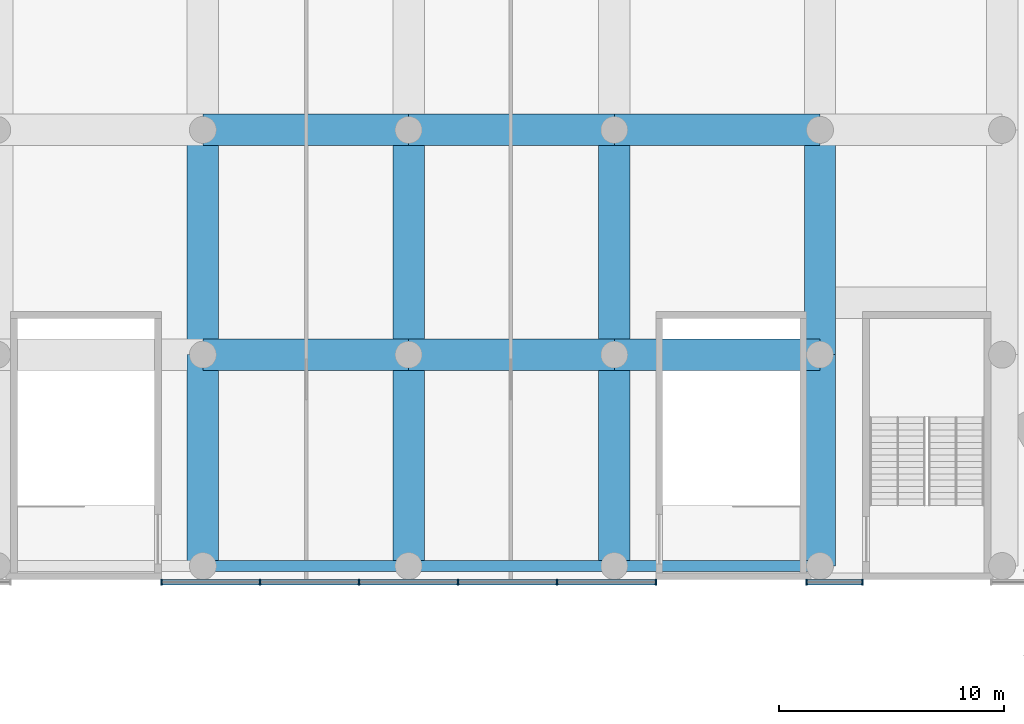
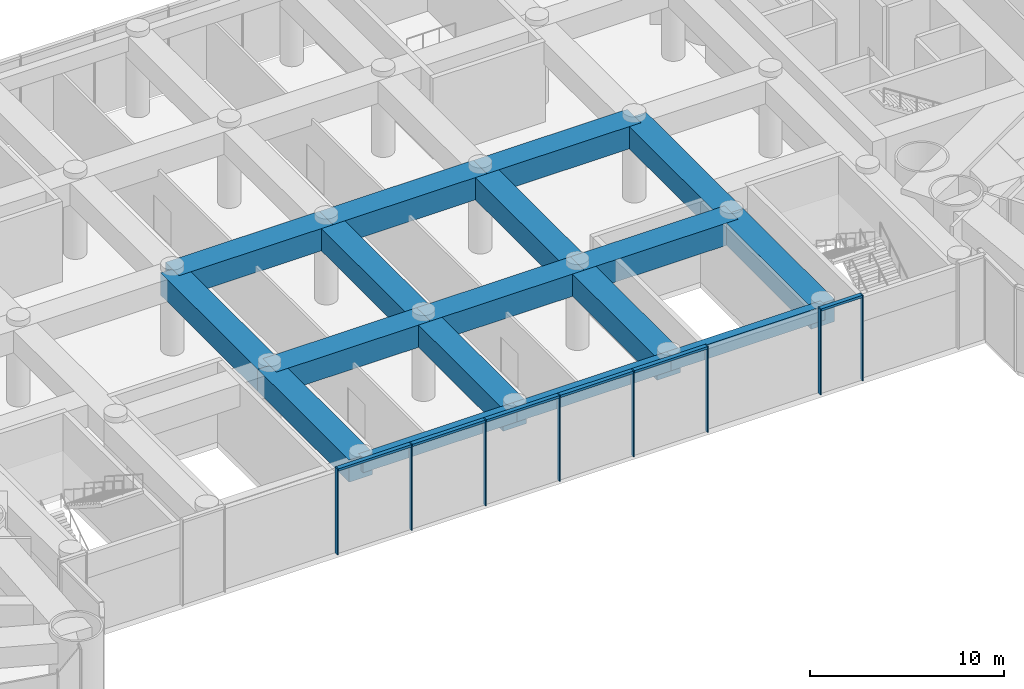
# One storey, part 6 of 20: 17 beams, 14 members, 2 elements without a shape of their own.
"""IFC4 building model written with IfcOpenShell, lengths in metres."""

import ifcopenshell
import ifcopenshell.guid

model = None  # the IFC model being written
_history = None  # IfcOwnerHistory: only IFC2X3 demands one
_inside = {}  # id of a spatial element -> (the spatial element, [elements in it])
_under = {}  # id of a project, library or spatial element -> (it, [spatial elements below it])
_declared = {}  # id of a project -> (the project, [libraries it declares])
_typed = {}  # id of a type object -> (the type object, [elements of that type])
_made_of = {}  # id of a material, layer set ... -> (it, [elements and type objects made of it])


def new_model(schema):
    """Start an empty IFC model of exactly this schema.

    Asked for "IFC4X3", IfcOpenShell would pick the latest addendum, in which some entities
    have other attributes; the version numbers below select the first issue.
    IFC2X3 requires an IfcOwnerHistory on every rooted entity: one is made here for all.
    """
    global model, _history
    if schema == "IFC4X3":
        model = ifcopenshell.file(schema_version=(4, 3, 0, 0))
    else:
        model = ifcopenshell.file(schema=schema)
    _inside.clear()
    _under.clear()
    _declared.clear()
    _typed.clear()
    _made_of.clear()
    _history = None
    if model.schema == "IFC2X3":
        org = make("IfcOrganization", Name="unknown")
        user = make(
            "IfcPersonAndOrganization",
            ThePerson=make("IfcPerson", FamilyName="unknown"),
            TheOrganization=org,
        )
        app = make(
            "IfcApplication",
            ApplicationDeveloper=org,
            Version="unknown",
            ApplicationFullName="unknown",
            ApplicationIdentifier="unknown",
        )
        _history = make(
            "IfcOwnerHistory",
            OwningUser=user,
            OwningApplication=app,
            ChangeAction="ADDED",
            CreationDate=0,
        )
    return model


def make(cls, **values):
    """One entity of the class cls with the attributes given. An attribute that is None is left unset."""
    return model.create_entity(
        cls, **{name: value for name, value in values.items() if value is not None}
    )


def rooted(cls, **values):
    """An entity with a GlobalId (a new one), such as an element, a storey or a relation."""
    return make(cls, GlobalId=ifcopenshell.guid.new(), OwnerHistory=_history, **values)


def si_unit(unit_type, name, prefix=None):
    """IfcSIUnit, for example si_unit("LENGTHUNIT", "METRE", prefix="MILLI")."""
    return make("IfcSIUnit", UnitType=unit_type, Prefix=prefix, Name=name)


def assignment(units):
    """IfcUnitAssignment: the units of a project."""
    return None if units is None else make("IfcUnitAssignment", Units=units)


def point(xyz):
    """IfcCartesianPoint."""
    return None if xyz is None else make("IfcCartesianPoint", Coordinates=xyz)


def direction(xyz):
    """IfcDirection."""
    return None if xyz is None else make("IfcDirection", DirectionRatios=xyz)


def frame(location, z_axis=None, x_axis=None):
    """IfcAxis2Placement3D, a coordinate frame: its origin and axes. An axis left out is left unset."""
    return make(
        "IfcAxis2Placement3D",
        Location=point(location),
        Axis=direction(z_axis),
        RefDirection=direction(x_axis),
    )


def frame_2d(location, x_axis=None):
    """IfcAxis2Placement2D, a coordinate frame in the plane: its origin and x axis."""
    return make(
        "IfcAxis2Placement2D", Location=point(location), RefDirection=direction(x_axis)
    )


def origin():
    """The frame at (0, 0, 0) with its axes left unset."""
    return frame((0.0, 0.0, 0.0))


def origin_2d():
    """The frame at (0, 0) in the plane with its x axis left unset."""
    return frame_2d((0.0, 0.0))


def place(relative_to, where):
    """IfcLocalPlacement: puts the frame where relative to a parent placement (None: the world)."""
    return make(
        "IfcLocalPlacement", PlacementRelTo=relative_to, RelativePlacement=where
    )


def context(
    kind, dimensions, precision=None, world=None, true_north=None, identifier=None
):
    """IfcGeometricRepresentationContext, for example the 3D "Model" context."""
    return make(
        "IfcGeometricRepresentationContext",
        ContextIdentifier=identifier,
        ContextType=kind,
        CoordinateSpaceDimension=dimensions,
        Precision=precision,
        WorldCoordinateSystem=world,
        TrueNorth=true_north,
    )


def subcontext(parent, identifier, kind, view, scale=None):
    """IfcGeometricRepresentationSubContext, for example "Body" below "Model"."""
    return make(
        "IfcGeometricRepresentationSubContext",
        ContextIdentifier=identifier,
        ContextType=kind,
        ParentContext=parent,
        TargetScale=scale,
        TargetView=view,
    )


def project(units=None, contexts=None):
    """IfcProject with its units and contexts."""
    return rooted(
        "IfcProject",
        Name="project",
        RepresentationContexts=contexts,
        UnitsInContext=assignment(units),
    )


def spatial(cls, under=None, at=None, **own):
    """A site, building, storey or space (cls), placed at a placement, below another one or the project."""
    s = rooted(cls, ObjectPlacement=at, **own)
    if under is not None:
        _under.setdefault(under.id(), (under, []))[1].append(s)
    return s


def profile(cls, at=None, kind="AREA", **sizes):
    """A parametric profile (cls). Its sizes go by their IFC names, for example OverallWidth=200.0."""
    return make(cls, ProfileType=kind, Position=at, **sizes)


def rectangle(**sizes):
    """IfcRectangleProfileDef."""
    return profile("IfcRectangleProfileDef", **sizes)


def extrude(swept, where, along, depth):
    """IfcExtrudedAreaSolid: the profile swept, set in the frame where, extruded along a direction by depth."""
    return make(
        "IfcExtrudedAreaSolid",
        SweptArea=swept,
        Position=where,
        ExtrudedDirection=direction(along),
        Depth=depth,
    )


def shape(context_of_items, identifier, shape_type, items):
    """IfcShapeRepresentation: the items that make up one representation, for example the "Body"."""
    return make(
        "IfcShapeRepresentation",
        ContextOfItems=context_of_items,
        RepresentationIdentifier=identifier,
        RepresentationType=shape_type,
        Items=items,
    )


def material(Name=None, Category=None):
    """IfcMaterial."""
    return make("IfcMaterial", Name=Name, Category=Category)


def material_profile(
    of_material, cross_section, Name=None, Category=None, Priority=None
):
    """IfcMaterialProfile: a cross section and its material."""
    return make(
        "IfcMaterialProfile",
        Name=Name,
        Material=of_material,
        Profile=cross_section,
        Priority=Priority,
        Category=Category,
    )


def profile_set(profiles, Name=None, composite=None):
    """IfcMaterialProfileSet."""
    return make(
        "IfcMaterialProfileSet",
        Name=Name,
        MaterialProfiles=profiles,
        CompositeProfile=composite,
    )


def made_of(thing, what):
    """Note that an element or type object is made of a material, layer set ...; save() writes the relation."""
    if what is not None:
        _made_of.setdefault(what.id(), (what, []))[1].append(thing)
    return thing


def type_object(cls, material=None, **own):
    """A type object (cls), such as IfcWallType, which elements share."""
    return made_of(rooted(cls, **own), material)


def element(
    cls,
    number,
    at=None,
    inside=None,
    cuts=None,
    type_object=None,
    material=None,
    context=None,
    identifier="Body",
    shape_type=None,
    held_by="IfcProductDefinitionShape",
    body=None,
    shapes=None,
    **own,
):
    """One element of the class cls, such as IfcWall. Its Tag is "e" and its number.

    at: its placement. inside: the storey or other place that contains it. cuts: it is an
    opening in that element (IfcRelVoidsElement). A single representation is given by context,
    identifier, shape_type and body (its items); several are given by shapes. held_by: the class
    of the entity that holds the representations. save() writes the other relations.
    """
    e = rooted(cls, Tag="e%d" % number, ObjectPlacement=at, **own)
    if body is not None:
        shapes = [shape(context, identifier, shape_type, body)]
    if shapes is not None:
        e.Representation = make(held_by, Representations=shapes)
    if inside is not None:
        _inside.setdefault(inside.id(), (inside, []))[1].append(e)
    if cuts is not None:
        rooted(
            "IfcRelVoidsElement", RelatingBuildingElement=cuts, RelatedOpeningElement=e
        )
    if type_object is not None:
        _typed.setdefault(type_object.id(), (type_object, []))[1].append(e)
    return made_of(e, material)


def aggregate(whole, parts):
    """IfcRelAggregates: a whole, such as a stair, and the parts it consists of."""
    return rooted("IfcRelAggregates", RelatingObject=whole, RelatedObjects=parts)


def save(model, path):
    """Write the relations noted so far, then the file.

    IfcRelAggregates (storeys below a building ...), IfcRelContainedInSpatialStructure (elements
    in a storey), IfcRelDefinesByType, IfcRelAssociatesMaterial and IfcRelDeclares: one each for
    every whole, place, type object, material and project.
    """
    for whole, parts in _under.values():
        aggregate(whole, parts)
    for where, things in _inside.values():
        rooted(
            "IfcRelContainedInSpatialStructure",
            RelatedElements=things,
            RelatingStructure=where,
        )
    for kind, things in _typed.values():
        rooted("IfcRelDefinesByType", RelatedObjects=things, RelatingType=kind)
    for what, things in _made_of.values():
        rooted("IfcRelAssociatesMaterial", RelatedObjects=things, RelatingMaterial=what)
    for by, libraries in _declared.values():
        rooted("IfcRelDeclares", RelatingContext=by, RelatedDefinitions=libraries)
    model.write(path)


model = new_model("IFC4")

# Units and contexts
model_context = context("Model", 3, precision=1e-05, world=origin(), true_north=direction((0.0, 1.0)))
body_context = subcontext(model_context, "Body", "Model", "MODEL_VIEW")
ifc_project = project(units=[si_unit("LENGTHUNIT", "METRE"), si_unit("AREAUNIT", "SQUARE_METRE"), si_unit("VOLUMEUNIT", "CUBIC_METRE"), si_unit("PLANEANGLEUNIT", "RADIAN"), si_unit("MASSUNIT", "GRAM", prefix="KILO")], contexts=[model_context])

# Site, building, storey
site_placement = place(None, origin())
site = spatial("IfcSite", under=ifc_project, at=site_placement, CompositionType="ELEMENT")
building_placement = place(site_placement, origin())
building = spatial("IfcBuilding", under=site, at=building_placement, Name="Lancet Gate Hotel", CompositionType="ELEMENT")
storey_placement = place(building_placement, frame((0.0, 0.0, 7.199951171875)))
storey = spatial("IfcBuildingStorey", under=building, at=storey_placement, Name="L01", CompositionType="ELEMENT", Elevation=7.199951171875)

# Curtain wall, members
ifc_material_1 = material(Name="Aluminium curtain wall", Category="aluminium")
curtain_wall_type = type_object("IfcCurtainWallType", Name="Podium curtain wall", PredefinedType="USERDEFINED", material=ifc_material_1)
curtain_wall_1_placement = place(storey_placement, origin())
curtain_wall_1 = element("IfcCurtainWall", 1, at=curtain_wall_1_placement, inside=storey, type_object=curtain_wall_type, Name="Podium L01 curtain wall S3", ObjectType="UNITISED CURTAIN WALL", PredefinedType="USERDEFINED")
ifc_material_2 = material(Name="Aluminium mullion", Category="aluminium")
ifc_material_profile_1 = material_profile(ifc_material_2, rectangle(XDim=0.06494140625, YDim=0.25, at=origin_2d()), Name="MULLION 65x250")
ifc_profile_set_1 = profile_set([ifc_material_profile_1], Name="Aluminium mullion")
member_type_1 = type_object("IfcMemberType", Name="Aluminium mullion 65x250", PredefinedType="MULLION", material=ifc_profile_set_1)
member_1_placement = place(storey_placement, frame((-11.0, -20.1201171875, 0.0), z_axis=(0.0, 0.0, 1.0), x_axis=(1.0, 0.0, 0.0)))
member_1 = element("IfcMember", 2, at=member_1_placement, type_object=member_type_1, Name="Podium L01 curtain wall S3 mullion 1", PredefinedType="MULLION", context=body_context, shape_type="SweptSolid", body=[
    extrude(rectangle(XDim=0.06494140625, YDim=0.25, at=origin_2d()), origin(), (0.0, 0.0, 1.0), 5.400146484375),
])
member_2_placement = place(storey_placement, frame((-6.60009765625, -20.1201171875, 0.0), z_axis=(0.0, 0.0, 1.0), x_axis=(1.0, 0.0, 0.0)))
member_2 = element("IfcMember", 3, at=member_2_placement, type_object=member_type_1, Name="Podium L01 curtain wall S3 mullion 2", PredefinedType="MULLION", context=body_context, shape_type="SweptSolid", body=[
    extrude(rectangle(XDim=0.06494140625, YDim=0.25, at=origin_2d()), origin(), (0.0, 0.0, 1.0), 5.400146484375),
])
member_3_placement = place(storey_placement, frame((-2.199951171875, -20.1201171875, 0.0), z_axis=(0.0, 0.0, 1.0), x_axis=(1.0, 0.0, 0.0)))
member_3 = element("IfcMember", 4, at=member_3_placement, type_object=member_type_1, Name="Podium L01 curtain wall S3 mullion 3", PredefinedType="MULLION", context=body_context, shape_type="SweptSolid", body=[
    extrude(rectangle(XDim=0.06494140625, YDim=0.25, at=origin_2d()), origin(), (0.0, 0.0, 1.0), 5.400146484375),
])
member_4_placement = place(storey_placement, frame((2.199951171875, -20.1201171875, 0.0), z_axis=(0.0, 0.0, 1.0), x_axis=(1.0, 0.0, 0.0)))
member_4 = element("IfcMember", 5, at=member_4_placement, type_object=member_type_1, Name="Podium L01 curtain wall S3 mullion 4", PredefinedType="MULLION", context=body_context, shape_type="SweptSolid", body=[
    extrude(rectangle(XDim=0.06494140625, YDim=0.25, at=origin_2d()), origin(), (0.0, 0.0, 1.0), 5.400146484375),
])
member_5_placement = place(storey_placement, frame((6.60009765625, -20.1201171875, 0.0), z_axis=(0.0, 0.0, 1.0), x_axis=(1.0, 0.0, 0.0)))
member_5 = element("IfcMember", 6, at=member_5_placement, type_object=member_type_1, Name="Podium L01 curtain wall S3 mullion 5", PredefinedType="MULLION", context=body_context, shape_type="SweptSolid", body=[
    extrude(rectangle(XDim=0.06494140625, YDim=0.25, at=origin_2d()), origin(), (0.0, 0.0, 1.0), 5.400146484375),
])
member_6_placement = place(storey_placement, frame((11.0, -20.1201171875, 0.0), z_axis=(0.0, 0.0, 1.0), x_axis=(1.0, 0.0, 0.0)))
member_6 = element("IfcMember", 7, at=member_6_placement, type_object=member_type_1, Name="Podium L01 curtain wall S3 mullion 6", PredefinedType="MULLION", context=body_context, shape_type="SweptSolid", body=[
    extrude(rectangle(XDim=0.06494140625, YDim=0.25, at=origin_2d()), origin(), (0.0, 0.0, 1.0), 5.400146484375),
])

curtain_wall_2_placement = place(storey_placement, origin())
curtain_wall_2 = element("IfcCurtainWall", 8, at=curtain_wall_2_placement, inside=storey, type_object=curtain_wall_type, Name="Podium L01 curtain wall S4", ObjectType="UNITISED CURTAIN WALL", PredefinedType="USERDEFINED")
member_7_placement = place(storey_placement, frame((17.699951171875, -20.1201171875, 0.0), z_axis=(0.0, 0.0, 1.0), x_axis=(1.0, 0.0, 0.0)))
member_7 = element("IfcMember", 9, at=member_7_placement, type_object=member_type_1, Name="Podium L01 curtain wall S4 mullion 1", PredefinedType="MULLION", context=body_context, shape_type="SweptSolid", body=[
    extrude(rectangle(XDim=0.06494140625, YDim=0.25, at=origin_2d()), origin(), (0.0, 0.0, 1.0), 5.400146484375),
])
member_8_placement = place(storey_placement, frame((20.199951171875, -20.1201171875, 0.0), z_axis=(0.0, 0.0, 1.0), x_axis=(1.0, 0.0, 0.0)))
member_8 = element("IfcMember", 10, at=member_8_placement, type_object=member_type_1, Name="Podium L01 curtain wall S4 mullion 2", PredefinedType="MULLION", context=body_context, shape_type="SweptSolid", body=[
    extrude(rectangle(XDim=0.06494140625, YDim=0.25, at=origin_2d()), origin(), (0.0, 0.0, 1.0), 5.400146484375),
])

# Member
ifc_material_3 = material(Name="Aluminium transom", Category="aluminium")
ifc_material_profile_2 = material_profile(ifc_material_3, rectangle(XDim=0.25, YDim=0.14990234375, at=origin_2d()), Name="TRANSOM 250x150")
ifc_profile_set_2 = profile_set([ifc_material_profile_2], Name="Aluminium transom")
member_type_2 = type_object("IfcMemberType", Name="Aluminium transom 250x150", PredefinedType="USERDEFINED", material=ifc_profile_set_2)
member_9_placement = place(storey_placement, frame((-10.967529296875, -20.1201171875, 5.324951171875), z_axis=(1.0, 0.0, 0.0), x_axis=(0.0, 1.0, 0.0)))
member_9 = element("IfcMember", 11, at=member_9_placement, type_object=member_type_2, Name="Podium L01 curtain wall S3 transom 1", ObjectType="TRANSOM", PredefinedType="USERDEFINED", context=body_context, shape_type="SweptSolid", body=[
    extrude(rectangle(XDim=0.25, YDim=0.14990234375, at=origin_2d()), origin(), (0.0, 0.0, 1.0), 4.3349609375),
])

member_10_placement = place(storey_placement, frame((-6.5673828125, -20.1201171875, 5.324951171875), z_axis=(1.0, 0.0, 0.0), x_axis=(0.0, 1.0, 0.0)))
member_10 = element("IfcMember", 12, at=member_10_placement, type_object=member_type_2, Name="Podium L01 curtain wall S3 transom 2", ObjectType="TRANSOM", PredefinedType="USERDEFINED", context=body_context, shape_type="SweptSolid", body=[
    extrude(rectangle(XDim=0.25, YDim=0.14990234375, at=origin_2d()), origin(), (0.0, 0.0, 1.0), 4.3349609375),
])

member_11_placement = place(storey_placement, frame((-2.16748046875, -20.1201171875, 5.324951171875), z_axis=(1.0, 0.0, 0.0), x_axis=(0.0, 1.0, 0.0)))
member_11 = element("IfcMember", 13, at=member_11_placement, type_object=member_type_2, Name="Podium L01 curtain wall S3 transom 3", ObjectType="TRANSOM", PredefinedType="USERDEFINED", context=body_context, shape_type="SweptSolid", body=[
    extrude(rectangle(XDim=0.25, YDim=0.14990234375, at=origin_2d()), origin(), (0.0, 0.0, 1.0), 4.3349609375),
])

member_12_placement = place(storey_placement, frame((2.232421875, -20.1201171875, 5.324951171875), z_axis=(1.0, 0.0, 0.0), x_axis=(0.0, 1.0, 0.0)))
member_12 = element("IfcMember", 14, at=member_12_placement, type_object=member_type_2, Name="Podium L01 curtain wall S3 transom 4", ObjectType="TRANSOM", PredefinedType="USERDEFINED", context=body_context, shape_type="SweptSolid", body=[
    extrude(rectangle(XDim=0.25, YDim=0.14990234375, at=origin_2d()), origin(), (0.0, 0.0, 1.0), 4.3349609375),
])

member_13_placement = place(storey_placement, frame((6.632568359375, -20.1201171875, 5.324951171875), z_axis=(1.0, 0.0, 0.0), x_axis=(0.0, 1.0, 0.0)))
member_13 = element("IfcMember", 15, at=member_13_placement, type_object=member_type_2, Name="Podium L01 curtain wall S3 transom 5", ObjectType="TRANSOM", PredefinedType="USERDEFINED", context=body_context, shape_type="SweptSolid", body=[
    extrude(rectangle(XDim=0.25, YDim=0.14990234375, at=origin_2d()), origin(), (0.0, 0.0, 1.0), 4.3349609375),
])

aggregate(curtain_wall_1, [member_1, member_2, member_3, member_4, member_5, member_6, member_9, member_10, member_11, member_12, member_13])

member_14_placement = place(storey_placement, frame((17.732421875, -20.1201171875, 5.324951171875), z_axis=(1.0, 0.0, 0.0), x_axis=(0.0, 1.0, 0.0)))
member_14 = element("IfcMember", 16, at=member_14_placement, type_object=member_type_2, Name="Podium L01 curtain wall S4 transom 1", ObjectType="TRANSOM", PredefinedType="USERDEFINED", context=body_context, shape_type="SweptSolid", body=[
    extrude(rectangle(XDim=0.25, YDim=0.14990234375, at=origin_2d()), origin(), (0.0, 0.0, 1.0), 2.43505859375),
])

aggregate(curtain_wall_2, [member_7, member_8, member_14])

# Beams
ifc_material_4 = material(Name="Concrete C50/60", Category="concrete")
ifc_material_profile_3 = material_profile(ifc_material_4, rectangle(XDim=1.39990234375, YDim=1.39990234375, at=origin_2d()), Name="RC 1400x1400")
ifc_profile_set_3 = profile_set([ifc_material_profile_3], Name="Concrete C50/60")
beam_type_1 = type_object("IfcBeamType", Name="Podium beam RC 1400x1400", PredefinedType="BEAM", material=ifc_profile_set_3)
for number, where, z_axis, x_axis, name in (
    (17, (-9.14990234375, -10.0, 4.35009765625), (1.0, 0.0, 0.0), (0.0, 1.0, 0.0), "Podium beam B/3-4 L01"),
    (18, (0.0, -10.0, 4.35009765625), (1.0, 0.0, 0.0), (0.0, 1.0, 0.0), "Podium beam B/4-5 L01"),
):
    element("IfcBeam", number, at=place(storey_placement, frame(where, z_axis=z_axis, x_axis=x_axis)), inside=storey, type_object=beam_type_1, Name=name, PredefinedType="BEAM", context=body_context, shape_type="SweptSolid", body=[
        extrude(rectangle(XDim=1.39990234375, YDim=1.39990234375, at=origin_2d()), origin(), (0.0, 0.0, 1.0), 9.14990234375),
    ])
beam_1_placement = place(storey_placement, frame((9.14990234375, -10.0, 4.35009765625), z_axis=(1.0, 0.0, 0.0), x_axis=(0.0, 1.0, 0.0)))
element("IfcBeam", 19, at=beam_1_placement, inside=storey, type_object=beam_type_1, Name="Podium beam B/5-6 L01", PredefinedType="BEAM", context=body_context, shape_type="SweptSolid", body=[
    extrude(rectangle(XDim=1.39990234375, YDim=1.39990234375, at=origin_2d()), origin(), (0.0, 0.0, 1.0), 9.150146484375),
])
for number, where, z_axis, x_axis, name in (
    (20, (-9.14990234375, 0.0, 4.35009765625), (1.0, 0.0, 0.0), (0.0, 1.0, 0.0), "Podium beam C/3-4 L01"),
    (21, (0.0, 0.0, 4.35009765625), (1.0, 0.0, 0.0), (0.0, 1.0, 0.0), "Podium beam C/4-5 L01"),
):
    element("IfcBeam", number, at=place(storey_placement, frame(where, z_axis=z_axis, x_axis=x_axis)), inside=storey, type_object=beam_type_1, Name=name, PredefinedType="BEAM", context=body_context, shape_type="SweptSolid", body=[
        extrude(rectangle(XDim=1.39990234375, YDim=1.39990234375, at=origin_2d()), origin(), (0.0, 0.0, 1.0), 9.14990234375),
    ])
beam_2_placement = place(storey_placement, frame((9.14990234375, 0.0, 4.35009765625), z_axis=(1.0, 0.0, 0.0), x_axis=(0.0, 1.0, 0.0)))
element("IfcBeam", 22, at=beam_2_placement, inside=storey, type_object=beam_type_1, Name="Podium beam C/5-6 L01", PredefinedType="BEAM", context=body_context, shape_type="SweptSolid", body=[
    extrude(rectangle(XDim=1.39990234375, YDim=1.39990234375, at=origin_2d()), origin(), (0.0, 0.0, 1.0), 9.150146484375),
])
beam_3_placement = place(storey_placement, frame((-9.14990234375, -19.39990234375, 4.35009765625), z_axis=(0.0, 1.0, 0.0), x_axis=(-1.0, 0.0, 0.0)))
element("IfcBeam", 23, at=beam_3_placement, inside=storey, type_object=beam_type_1, Name="Podium beam 3/A-B L01", PredefinedType="BEAM", context=body_context, shape_type="SweptSolid", body=[
    extrude(rectangle(XDim=1.39990234375, YDim=1.39990234375, at=origin_2d()), origin(), (0.0, 0.0, 1.0), 9.39990234375),
])
beam_4_placement = place(storey_placement, frame((-9.14990234375, -10.0, 4.35009765625), z_axis=(0.0, 1.0, 0.0), x_axis=(-1.0, 0.0, 0.0)))
element("IfcBeam", 24, at=beam_4_placement, inside=storey, type_object=beam_type_1, Name="Podium beam 3/B-C L01", PredefinedType="BEAM", context=body_context, shape_type="SweptSolid", body=[
    extrude(rectangle(XDim=1.39990234375, YDim=1.39990234375, at=origin_2d()), origin(), (0.0, 0.0, 1.0), 10.0),
])
beam_5_placement = place(storey_placement, frame((0.0, -19.39990234375, 4.35009765625), z_axis=(0.0, 1.0, 0.0), x_axis=(-1.0, 0.0, 0.0)))
element("IfcBeam", 25, at=beam_5_placement, inside=storey, type_object=beam_type_1, Name="Podium beam 4/A-B L01", PredefinedType="BEAM", context=body_context, shape_type="SweptSolid", body=[
    extrude(rectangle(XDim=1.39990234375, YDim=1.39990234375, at=origin_2d()), origin(), (0.0, 0.0, 1.0), 9.39990234375),
])
beam_6_placement = place(storey_placement, frame((0.0, -10.0, 4.35009765625), z_axis=(0.0, 1.0, 0.0), x_axis=(-1.0, 0.0, 0.0)))
element("IfcBeam", 26, at=beam_6_placement, inside=storey, type_object=beam_type_1, Name="Podium beam 4/B-C L01", PredefinedType="BEAM", context=body_context, shape_type="SweptSolid", body=[
    extrude(rectangle(XDim=1.39990234375, YDim=1.39990234375, at=origin_2d()), origin(), (0.0, 0.0, 1.0), 10.0),
])
beam_7_placement = place(storey_placement, frame((9.14990234375, -19.39990234375, 4.35009765625), z_axis=(0.0, 1.0, 0.0), x_axis=(-1.0, 0.0, 0.0)))
element("IfcBeam", 27, at=beam_7_placement, inside=storey, type_object=beam_type_1, Name="Podium beam 5/A-B L01", PredefinedType="BEAM", context=body_context, shape_type="SweptSolid", body=[
    extrude(rectangle(XDim=1.39990234375, YDim=1.39990234375, at=origin_2d()), origin(), (0.0, 0.0, 1.0), 9.39990234375),
])
beam_8_placement = place(storey_placement, frame((9.14990234375, -10.0, 4.35009765625), z_axis=(0.0, 1.0, 0.0), x_axis=(-1.0, 0.0, 0.0)))
element("IfcBeam", 28, at=beam_8_placement, inside=storey, type_object=beam_type_1, Name="Podium beam 5/B-C L01", PredefinedType="BEAM", context=body_context, shape_type="SweptSolid", body=[
    extrude(rectangle(XDim=1.39990234375, YDim=1.39990234375, at=origin_2d()), origin(), (0.0, 0.0, 1.0), 10.0),
])
beam_9_placement = place(storey_placement, frame((18.300048828125, -19.39990234375, 4.35009765625), z_axis=(0.0, 1.0, 0.0), x_axis=(-1.0, 0.0, 0.0)))
element("IfcBeam", 29, at=beam_9_placement, inside=storey, type_object=beam_type_1, Name="Podium beam 6/A-B L01", PredefinedType="BEAM", context=body_context, shape_type="SweptSolid", body=[
    extrude(rectangle(XDim=1.39990234375, YDim=1.39990234375, at=origin_2d()), origin(), (0.0, 0.0, 1.0), 9.39990234375),
])
beam_10_placement = place(storey_placement, frame((18.300048828125, -10.0, 4.35009765625), z_axis=(0.0, 1.0, 0.0), x_axis=(-1.0, 0.0, 0.0)))
element("IfcBeam", 30, at=beam_10_placement, inside=storey, type_object=beam_type_1, Name="Podium beam 6/B-C L01", PredefinedType="BEAM", context=body_context, shape_type="SweptSolid", body=[
    extrude(rectangle(XDim=1.39990234375, YDim=1.39990234375, at=origin_2d()), origin(), (0.0, 0.0, 1.0), 10.0),
])
ifc_material_5 = material(Name="Concrete C50/60", Category="concrete")
ifc_material_profile_4 = material_profile(ifc_material_5, rectangle(XDim=0.5, YDim=0.89990234375, at=origin_2d()), Name="RC 500x900")
ifc_profile_set_4 = profile_set([ifc_material_profile_4], Name="Concrete C50/60")
beam_type_2 = type_object("IfcBeamType", Name="Podium edge beam RC 500x900", PredefinedType="BEAM", material=ifc_profile_set_4)
for number, where, z_axis, x_axis, name in (
    (31, (-9.14990234375, -19.39990234375, 4.60009765625), (1.0, 0.0, 0.0), (0.0, 1.0, 0.0), "Podium beam A/3-4 L01"),
    (32, (0.0, -19.39990234375, 4.60009765625), (1.0, 0.0, 0.0), (0.0, 1.0, 0.0), "Podium beam A/4-5 L01"),
):
    element("IfcBeam", number, at=place(storey_placement, frame(where, z_axis=z_axis, x_axis=x_axis)), inside=storey, type_object=beam_type_2, Name=name, PredefinedType="BEAM", context=body_context, shape_type="SweptSolid", body=[
        extrude(rectangle(XDim=0.5, YDim=0.89990234375, at=origin_2d()), origin(), (0.0, 0.0, 1.0), 9.14990234375),
    ])
beam_11_placement = place(storey_placement, frame((9.14990234375, -19.39990234375, 4.60009765625), z_axis=(1.0, 0.0, 0.0), x_axis=(0.0, 1.0, 0.0)))
element("IfcBeam", 33, at=beam_11_placement, inside=storey, type_object=beam_type_2, Name="Podium beam A/5-6 L01", PredefinedType="BEAM", context=body_context, shape_type="SweptSolid", body=[
    extrude(rectangle(XDim=0.5, YDim=0.89990234375, at=origin_2d()), origin(), (0.0, 0.0, 1.0), 9.150146484375),
])

save(model, "model.ifc")
